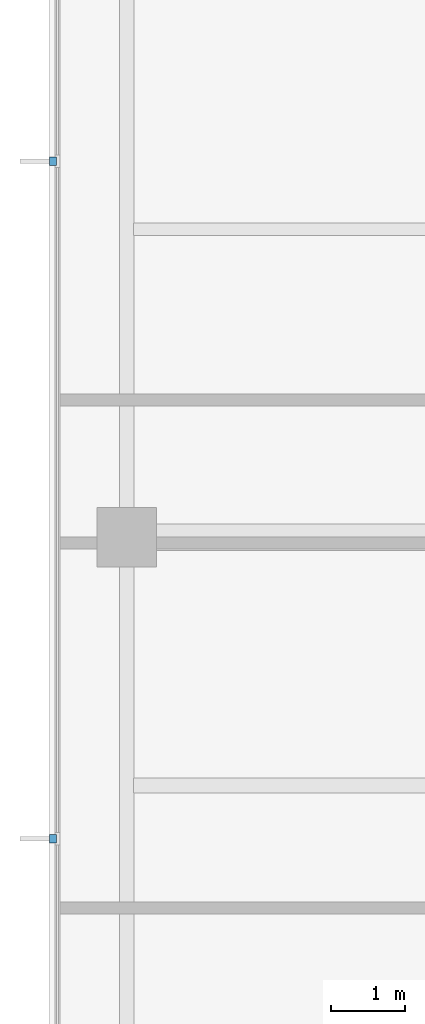
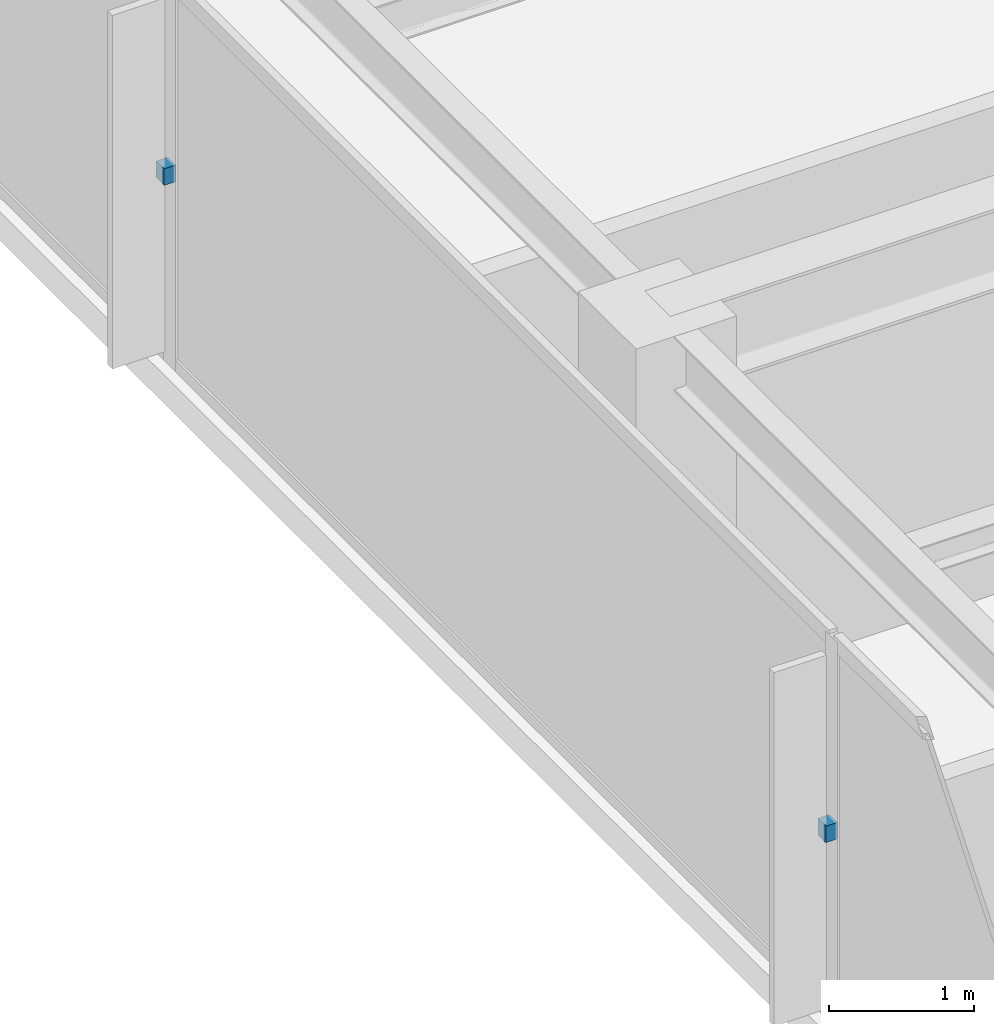
# One storey, part 9 of 11: 2 discrete accessories.
"""IFC4 building model written with IfcOpenShell, lengths in metres."""

from ifc_helpers import new_model, si_unit, direction, frame, origin, place, context, subcontext, project, spatial, polyline, outline, extrude, material, type_object, element, save


model = new_model("IFC4")

# Units and contexts
model_context = context("Model", 3, precision=1e-05, world=origin(), true_north=direction((0.0, 1.0)))
body_context = subcontext(model_context, "Body", "Model", "MODEL_VIEW")
ifc_project = project(units=[si_unit("LENGTHUNIT", "METRE"), si_unit("AREAUNIT", "SQUARE_METRE"), si_unit("VOLUMEUNIT", "CUBIC_METRE"), si_unit("PLANEANGLEUNIT", "RADIAN"), si_unit("MASSUNIT", "GRAM", prefix="KILO")], contexts=[model_context])

# Site, building, storey
site_placement = place(None, origin())
site = spatial("IfcSite", under=ifc_project, at=site_placement, CompositionType="ELEMENT")
building_placement = place(site_placement, origin())
building = spatial("IfcBuilding", under=site, at=building_placement, Name="Qalmaran Belvedere Hotel", CompositionType="ELEMENT")
storey_placement = place(building_placement, frame((0.0, 0.0, 256.39990234375)))
storey = spatial("IfcBuildingStorey", under=building, at=storey_placement, Name="L66", CompositionType="ELEMENT", Elevation=256.39990234375)

# Discrete accessories
ifc_material = material(Name="Stainless Steel 1.4401", Category="steel")
discrete_accessory_type = type_object("IfcDiscreteAccessoryType", Name="BRK-FIN-SS316", PredefinedType="BRACKET", material=ifc_material)
discrete_accessory_1_placement = place(storey_placement, frame((0.0, 0.0, 1.580078125)))
element("IfcDiscreteAccessory", 1, at=discrete_accessory_1_placement, inside=storey, type_object=discrete_accessory_type, Name="L66 Fin Bracket 1", PredefinedType="BRACKET", context=body_context, shape_type="SweptSolid", body=[
    extrude(outline(polyline([(11.455078125, 25.62158203125), (11.362548828125, 25.62158203125), (11.362548828125, 25.51171875), (11.455078125, 25.51171875), (11.455078125, 25.62158203125)])), origin(), (0.0, 0.0, 1.0), 0.14013671875),
])
discrete_accessory_2_placement = place(storey_placement, frame((0.0, 0.0, 1.580078125)))
element("IfcDiscreteAccessory", 2, at=discrete_accessory_2_placement, inside=storey, type_object=discrete_accessory_type, Name="L66 Fin Bracket 2", PredefinedType="BRACKET", context=body_context, shape_type="SweptSolid", body=[
    extrude(outline(polyline([(11.455078125, 16.48828125), (11.362548828125, 16.48828125), (11.362548828125, 16.37841796875), (11.455078125, 16.37841796875), (11.455078125, 16.48828125)])), origin(), (0.0, 0.0, 1.0), 0.14013671875),
])

save(model, "model.ifc")
